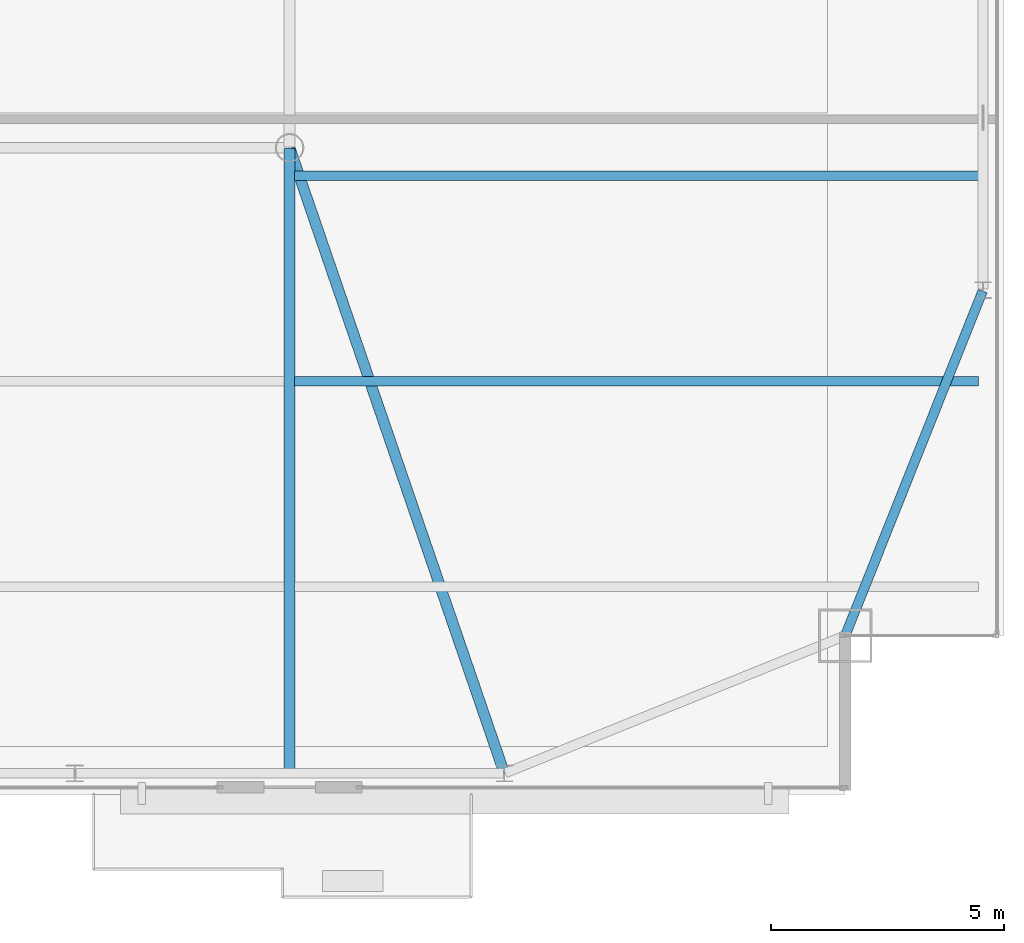
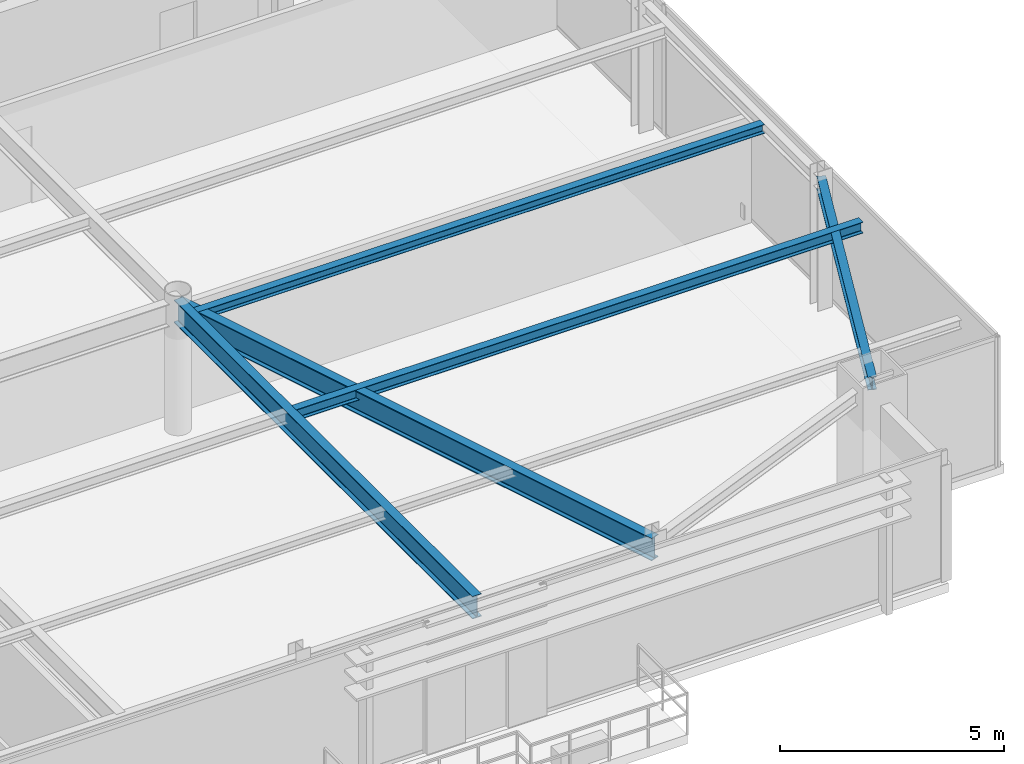
# One storey, part 16 of 30: 5 beams.
"""IFC4 building model written with IfcOpenShell, lengths in metres."""

from ifc_helpers import new_model, si_unit, direction, frame, origin, origin_2d, place, context, subcontext, project, spatial, i_section, extrude, source, transform, mapped, material, material_profile, profile_set, type_object, type_shapes, element, save


model = new_model("IFC4")

# Units and contexts
model_context = context("Model", 3, precision=1e-05, world=origin(), true_north=direction((0.0, 1.0)))
body_context = subcontext(model_context, "Body", "Model", "MODEL_VIEW")
ifc_project = project(units=[si_unit("LENGTHUNIT", "METRE"), si_unit("AREAUNIT", "SQUARE_METRE"), si_unit("VOLUMEUNIT", "CUBIC_METRE"), si_unit("PLANEANGLEUNIT", "RADIAN"), si_unit("MASSUNIT", "GRAM", prefix="KILO")], contexts=[model_context])

# Site, building, storey
site_placement = place(None, origin())
site = spatial("IfcSite", under=ifc_project, at=site_placement, CompositionType="ELEMENT")
building_placement = place(site_placement, origin())
building = spatial("IfcBuilding", under=site, at=building_placement, Name="Varnel Quay Broadcast Tower", CompositionType="ELEMENT")
storey_placement = place(building_placement, frame((0.0, 0.0, 222.60009765625)))
storey = spatial("IfcBuildingStorey", under=building, at=storey_placement, Name="L55", CompositionType="ELEMENT", Elevation=222.60009765625)

# Beams
ifc_material = material(Name="Structural Steel CSA G40.21 350W", Category="steel")
ifc_material_profile_1 = material_profile(ifc_material, i_section(OverallWidth=0.205078125, OverallDepth=0.35400390625, WebThickness=0.009521484375, FlangeThickness=0.016845703125, FilletRadius=0.012939453125, at=origin_2d()), Name="W360X79")
ifc_profile_set_1 = profile_set([ifc_material_profile_1], Name="Structural Steel CSA G40.21 350W")
beam_type_1 = type_object("IfcBeamType", Name="Beam_W360X79", PredefinedType="SPANDREL", material=ifc_profile_set_1)
shared_shape_1 = source(origin(), body_context, "Body", "SweptSolid", [
    extrude(i_section(OverallWidth=0.205078125, OverallDepth=0.35400390625, WebThickness=0.009521484375, FlangeThickness=0.016845703125, FilletRadius=0.012939453125, at=origin_2d()), origin(), (0.0, 0.0, 1.0), 7.92626953125),
])
type_shapes(beam_type_1, [shared_shape_1])
beam_1_placement = place(storey_placement, frame((55.107421875, 13.61865234375, 3.372802734375), z_axis=(0.370296431883, 0.928913641053, 0.0), x_axis=(-0.928913641053, 0.370296431883, 0.0)))
element("IfcBeam", 1, at=beam_1_placement, inside=storey, type_object=beam_type_1, Name="L55 East Spandrel MC-SE-TC-E1", PredefinedType="SPANDREL", context=body_context, shape_type="MappedRepresentation", body=[
    mapped(shared_shape_1, transform((0.0, 0.0, 0.0), x_axis=(1.0, 0.0, 0.0), y_axis=(0.0, 1.0, 0.0), z_axis=(0.0, 0.0, 1.0), scale=1.0)),
])
ifc_material_profile_2 = material_profile(ifc_material, i_section(OverallWidth=0.22998046875, OverallDepth=0.616943359375, WebThickness=0.01318359375, FlangeThickness=0.022216796875, FilletRadius=0.01611328125, at=origin_2d()), Name="W610X140")
ifc_profile_set_2 = profile_set([ifc_material_profile_2], Name="Structural Steel CSA G40.21 350W")
beam_type_2 = type_object("IfcBeamType", Name="Girder_W610X140", PredefinedType="BEAM", material=ifc_profile_set_2)
shared_shape_2 = source(origin(), body_context, "Body", "SweptSolid", [
    extrude(i_section(OverallWidth=0.22998046875, OverallDepth=0.616943359375, WebThickness=0.01318359375, FlangeThickness=0.022216796875, FilletRadius=0.01611328125, at=origin_2d()), origin(), (0.0, 0.0, 1.0), 14.12744140625),
])
beam_2_placement = place(storey_placement, frame((47.79345703125, 10.6689453125, 3.241455078125), z_axis=(-0.324681288447, 0.945823482967, 0.0), x_axis=(-0.945823482967, -0.324681288447, 0.0)))
element("IfcBeam", 2, at=beam_2_placement, inside=storey, type_object=beam_type_2, Name="L55 Primary Girder TC-S4-IC-02", PredefinedType="BEAM", context=body_context, shape_type="MappedRepresentation", body=[
    mapped(shared_shape_2, transform((0.0, 0.0, 0.0), x_axis=(1.0, 0.0, 0.0), y_axis=(0.0, 1.0, 0.0), z_axis=(0.0, 0.0, 1.0), scale=1.0)),
])
shared_shape_3 = source(origin(), body_context, "Body", "SweptSolid", [
    extrude(i_section(OverallWidth=0.22998046875, OverallDepth=0.616943359375, WebThickness=0.01318359375, FlangeThickness=0.022216796875, FilletRadius=0.01611328125, at=origin_2d()), origin(), (0.0, 0.0, 1.0), 13.360107421875),
])
type_shapes(beam_type_2, [shared_shape_2, shared_shape_3])
beam_3_placement = place(storey_placement, frame((43.199951171875, 10.669921875, 3.241455078125), z_axis=(0.0, 1.0, 0.0), x_axis=(-1.0, 0.0, 0.0)))
element("IfcBeam", 3, at=beam_3_placement, inside=storey, type_object=beam_type_2, Name="L55 N-S Joist Header IC-02S", PredefinedType="BEAM", context=body_context, shape_type="MappedRepresentation", body=[
    mapped(shared_shape_3, transform((0.0, 0.0, 0.0), x_axis=(1.0, 0.0, 0.0), y_axis=(0.0, 1.0, 0.0), z_axis=(0.0, 0.0, 1.0), scale=1.0)),
])
ifc_material_profile_3 = material_profile(ifc_material, i_section(OverallWidth=0.201904296875, OverallDepth=0.2470703125, WebThickness=0.00732421875, FlangeThickness=0.010986328125, FilletRadius=0.010986328125, at=origin_2d()), Name="W250X49")
ifc_profile_set_3 = profile_set([ifc_material_profile_3], Name="Structural Steel CSA G40.21 350W")
beam_type_3 = type_object("IfcBeamType", Name="Beam_W250X49", PredefinedType="JOIST", material=ifc_profile_set_3)
shared_shape_4 = source(origin(), body_context, "Body", "SweptSolid", [
    extrude(i_section(OverallWidth=0.201904296875, OverallDepth=0.2470703125, WebThickness=0.00732421875, FlangeThickness=0.010986328125, FilletRadius=0.010986328125, at=origin_2d()), origin(), (0.0, 0.0, 1.0), 14.642333984375),
])
type_shapes(beam_type_3, [shared_shape_4])
beam_4_placement = place(storey_placement, frame((43.31005859375, 23.449951171875, 3.426513671875), z_axis=(1.0, 0.0, 0.0), x_axis=(0.0, 1.0, 0.0)))
element("IfcBeam", 4, at=beam_4_placement, inside=storey, type_object=beam_type_3, Name="L55 East Floor Joist 3", PredefinedType="JOIST", context=body_context, shape_type="MappedRepresentation", body=[
    mapped(shared_shape_4, transform((0.0, 0.0, 0.0), x_axis=(1.0, 0.0, 0.0), y_axis=(0.0, 1.0, 0.0), z_axis=(0.0, 0.0, 1.0), scale=1.0)),
])
ifc_material_profile_4 = material_profile(ifc_material, i_section(OverallWidth=0.202880859375, OverallDepth=0.302978515625, WebThickness=0.007568359375, FlangeThickness=0.01318359375, FilletRadius=0.011962890625, at=origin_2d()), Name="W310X60")
ifc_profile_set_4 = profile_set([ifc_material_profile_4], Name="Structural Steel CSA G40.21 350W")
beam_type_4 = type_object("IfcBeamType", Name="Beam_W310X60", PredefinedType="JOIST", material=ifc_profile_set_4)
shared_shape_5 = source(origin(), body_context, "Body", "SweptSolid", [
    extrude(i_section(OverallWidth=0.202880859375, OverallDepth=0.302978515625, WebThickness=0.007568359375, FlangeThickness=0.01318359375, FilletRadius=0.011962890625, at=origin_2d()), origin(), (0.0, 0.0, 1.0), 14.642333984375),
])
type_shapes(beam_type_4, [shared_shape_5])
beam_5_placement = place(storey_placement, frame((43.31005859375, 19.050048828125, 3.3984375), z_axis=(1.0, 0.0, 0.0), x_axis=(0.0, 1.0, 0.0)))
element("IfcBeam", 5, at=beam_5_placement, inside=storey, type_object=beam_type_4, Name="L55 East Floor Joist 2", PredefinedType="JOIST", context=body_context, shape_type="MappedRepresentation", body=[
    mapped(shared_shape_5, transform((0.0, 0.0, 0.0), x_axis=(1.0, 0.0, 0.0), y_axis=(0.0, 1.0, 0.0), z_axis=(0.0, 0.0, 1.0), scale=1.0)),
])

save(model, "model.ifc")
